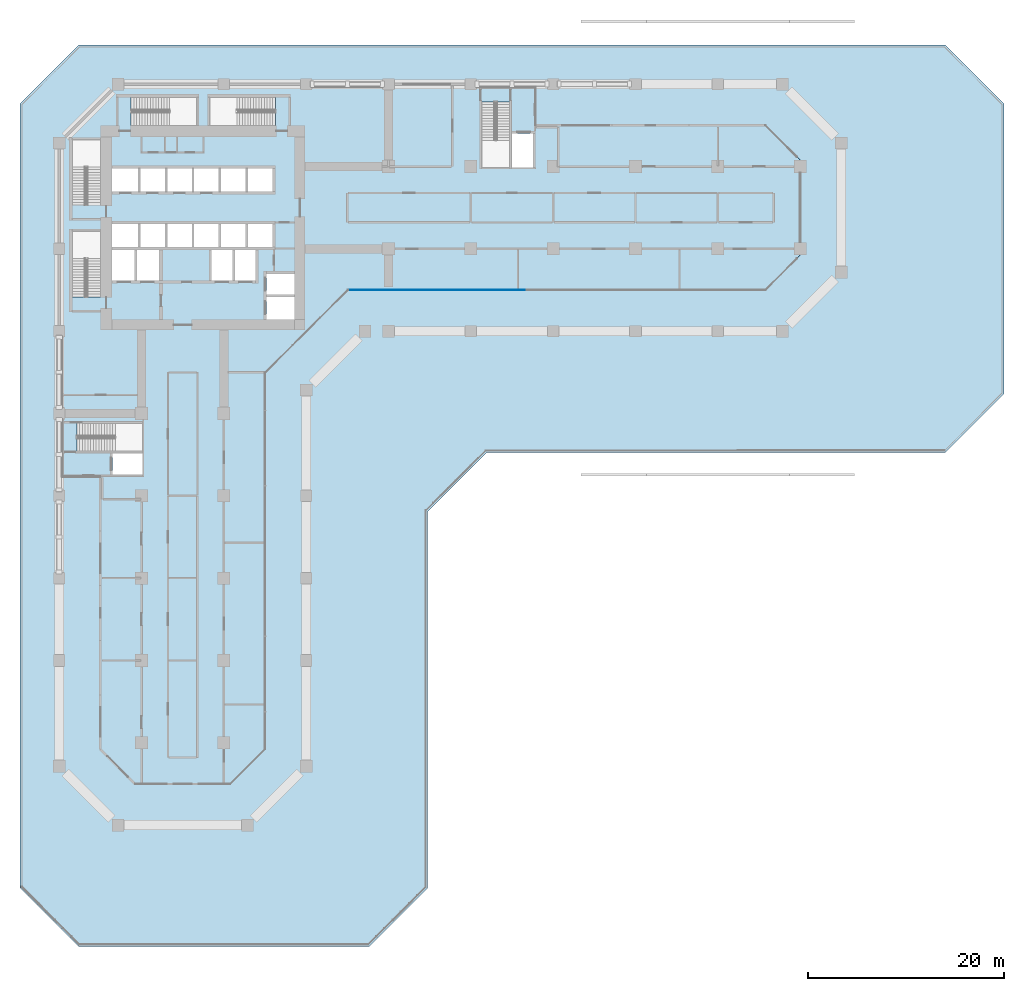
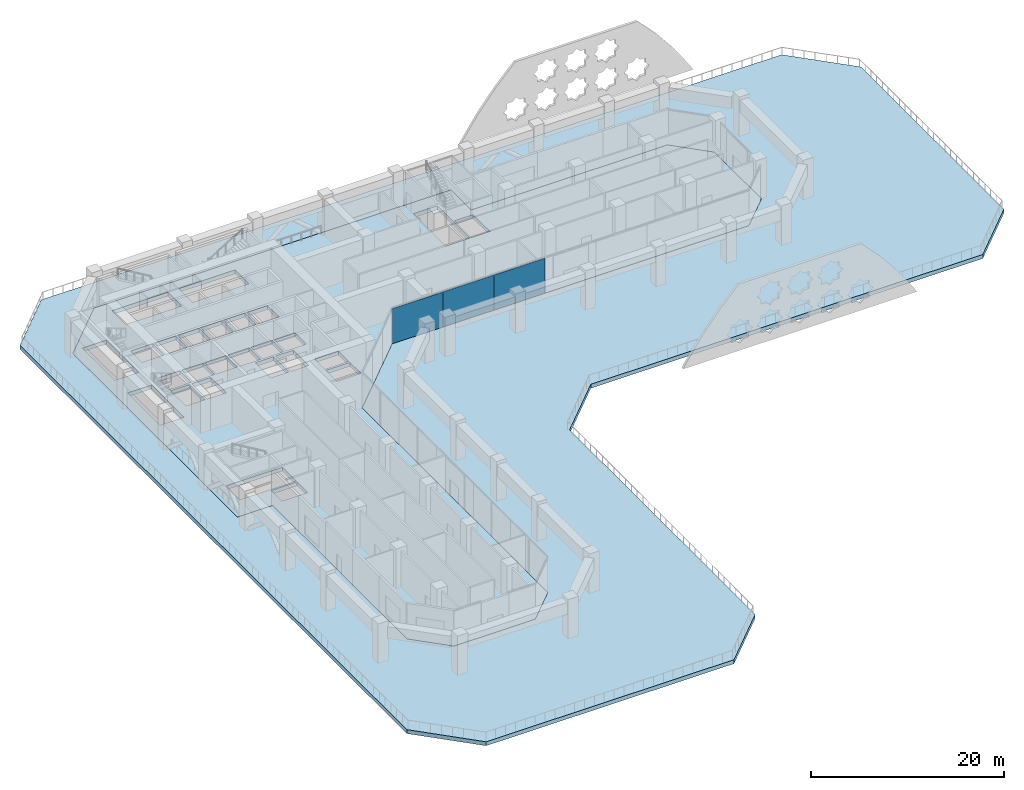
# One storey, part 4 of 19: 3 plates, 2 slabs, 1 element without a shape of its own.
"""IFC4 building model written with IfcOpenShell, lengths in metres."""

from ifc_helpers import new_model, si_unit, direction, frame, origin, origin_2d, place, context, subcontext, project, spatial, polyline, rectangle, outline, extrude, material, layer, layer_set, type_object, element, aggregate, save


model = new_model("IFC4")

# Units and contexts
model_context = context("Model", 3, precision=1e-05, world=origin(), true_north=direction((0.0, 1.0)))
body_context = subcontext(model_context, "Body", "Model", "MODEL_VIEW")
ifc_project = project(units=[si_unit("LENGTHUNIT", "METRE"), si_unit("AREAUNIT", "SQUARE_METRE"), si_unit("VOLUMEUNIT", "CUBIC_METRE"), si_unit("PLANEANGLEUNIT", "RADIAN"), si_unit("MASSUNIT", "GRAM", prefix="KILO")], contexts=[model_context])

# Site, building, storey
site_placement = place(None, origin())
site = spatial("IfcSite", under=ifc_project, at=site_placement, CompositionType="ELEMENT")
building_placement = place(site_placement, origin())
building = spatial("IfcBuilding", under=site, at=building_placement, Name="Kawkab Arch Medical Tower", CompositionType="ELEMENT")
storey_placement = place(building_placement, frame((0.0, 0.0, 34.199951171875)))
storey = spatial("IfcBuildingStorey", under=building, at=storey_placement, Name="L07", CompositionType="ELEMENT", Elevation=34.199951171875)

# Curtain wall, plates
ifc_material_1 = material(Name="Bronze anodised aluminium curtain wall frame", Category="aluminium")
ifc_layer_1 = layer(ifc_material_1, 0.159912109375)
ifc_layer_set_1 = layer_set([ifc_layer_1], Name="Bronze anodised aluminium curtain wall frame")
curtain_wall_type = type_object("IfcCurtainWallType", Name="CW4 refuge floor fire-protected glazing", PredefinedType="NOTDEFINED", material=ifc_layer_set_1)
curtain_wall_placement = place(storey_placement, origin())
curtain_wall = element("IfcCurtainWall", 1, at=curtain_wall_placement, inside=storey, type_object=curtain_wall_type, Name="CW4 Refuge floor fire-protected glazing R11", PredefinedType="NOTDEFINED")
ifc_material_2 = material(Name="Fire-resisting laminated glass", Category="glass")
ifc_layer_2 = layer(ifc_material_2, 0.0400390625)
ifc_layer_set_2 = layer_set([ifc_layer_2], Name="Fire-resisting laminated glass")
plate_type = type_object("IfcPlateType", Name="CW4 glazing unit 40", PredefinedType="CURTAIN_PANEL", material=ifc_layer_set_2)
plate_1_placement = place(storey_placement, frame((32.5029296875, -21.0, 0.0), z_axis=(0.0, 0.0, 1.0), x_axis=(1.0, 0.0, 0.0)))
plate_1 = element("IfcPlate", 2, at=plate_1_placement, type_object=plate_type, Name="CW4 glazing unit 1.1", PredefinedType="CURTAIN_PANEL", context=body_context, shape_type="SweptSolid", body=[
    extrude(rectangle(XDim=6.085693359375, YDim=0.0400390625, at=origin_2d()), origin(), (0.0, 0.0, 1.0), 4.419921875),
])
plate_2_placement = place(storey_placement, frame((38.588623046875, -21.0, 0.0), z_axis=(0.0, 0.0, 1.0), x_axis=(1.0, 0.0, 0.0)))
plate_2 = element("IfcPlate", 3, at=plate_2_placement, type_object=plate_type, Name="CW4 glazing unit 2.1", PredefinedType="CURTAIN_PANEL", context=body_context, shape_type="SweptSolid", body=[
    extrude(rectangle(XDim=6.085693359375, YDim=0.0400390625, at=origin_2d()), origin(), (0.0, 0.0, 1.0), 4.419921875),
])
plate_3_placement = place(storey_placement, frame((44.67431640625, -21.0, 0.0), z_axis=(0.0, 0.0, 1.0), x_axis=(1.0, 0.0, 0.0)))
plate_3 = element("IfcPlate", 4, at=plate_3_placement, type_object=plate_type, Name="CW4 glazing unit 3.1", PredefinedType="CURTAIN_PANEL", context=body_context, shape_type="SweptSolid", body=[
    extrude(rectangle(XDim=6.085693359375, YDim=0.0400390625, at=origin_2d()), origin(), (0.0, 0.0, 1.0), 4.419921875),
])
aggregate(curtain_wall, [plate_1, plate_2, plate_3])

# Slabs
ifc_material_3 = material(Name="Concrete C45/55", Category="concrete")
ifc_layer_3 = layer(ifc_material_3, 0.5)
ifc_layer_set_3 = layer_set([ifc_layer_3], Name="Concrete C45/55")
slab_type_1 = type_object("IfcSlabType", Name="Refuge terrace slab 500", PredefinedType="FLOOR", material=ifc_layer_set_3)
placement = place(storey_placement, frame((0.0, 0.0, -0.5)))
element("IfcSlab", 5, at=placement, inside=storey, type_object=slab_type_1, Name="Refuge terrace slab L07.1", PredefinedType="FLOOR", context=body_context, shape_type="SweptSolid", body=[
    extrude(outline(polyline([(-4.0, -81.9990234375), (-4.0, -81.9990234375), (-4.0, -2.0009765625), (-4.0, -2.0009765625), (-4.0, -2.0009765625), (-3.9990234375, -2.0), (-3.9990234375, -1.9990234375), (-3.998046875, -1.9990234375), (-3.998046875, -1.998046875), (-3.998046875, -1.998046875), (-3.9970703125, -1.9970703125), (1.9970703125, 3.9970703125), (1.998046875, 3.998046875), (1.998046875, 3.998046875), (1.9990234375, 3.998046875), (1.9990234375, 3.9990234375), (2.0, 3.9990234375), (2.0009765625, 4.0), (2.0009765625, 4.0), (2.0009765625, 4.0), (90.39892578125, 4.0), (90.39892578125, 4.0), (90.39892578125, 4.0), (90.39990234375, 3.9990234375), (90.40087890625, 3.9990234375), (90.40087890625, 3.998046875), (90.402099609375, 3.998046875), (90.402099609375, 3.998046875), (90.403076171875, 3.9970703125), (96.39697265625, -1.9970703125), (96.39794921875, -1.998046875), (96.39794921875, -1.998046875), (96.39794921875, -1.9990234375), (96.39892578125, -1.9990234375), (96.39892578125, -2.0), (96.39990234375, -2.0009765625), (96.39990234375, -2.0009765625), (96.39990234375, -2.0009765625), (96.39990234375, -31.59912109375), (96.39990234375, -31.59912109375), (96.39990234375, -31.59912109375), (96.39892578125, -31.60009765625), (96.39892578125, -31.60107421875), (96.39794921875, -31.60107421875), (96.39794921875, -31.60205078125), (96.39794921875, -31.60205078125), (96.39697265625, -31.60302734375), (90.403076171875, -37.596923828125), (90.402099609375, -37.597900390625), (90.402099609375, -37.597900390625), (90.40087890625, -37.597900390625), (90.40087890625, -37.59912109375), (90.39990234375, -37.59912109375), (90.39892578125, -37.60009765625), (90.39892578125, -37.60009765625), (90.39892578125, -37.60009765625), (43.60009765625, -37.60009765625), (37.60009765625, -43.60009765625), (37.60009765625, -81.9990234375), (37.60009765625, -81.9990234375), (37.60009765625, -81.9990234375), (37.59912109375, -82.0), (37.59912109375, -82.0009765625), (37.597900390625, -82.0009765625), (37.597900390625, -82.001953125), (37.597900390625, -82.001953125), (37.596923828125, -82.0029296875), (31.60302734375, -87.9970703125), (31.60205078125, -87.998046875), (31.60205078125, -87.998046875), (31.60107421875, -87.998046875), (31.60107421875, -87.9990234375), (31.60009765625, -87.9990234375), (31.59912109375, -88.0), (31.59912109375, -88.0), (31.59912109375, -88.0), (2.0009765625, -88.0), (2.0009765625, -88.0), (2.0009765625, -88.0), (2.0, -87.9990234375), (1.9990234375, -87.9990234375), (1.9990234375, -87.998046875), (1.998046875, -87.998046875), (1.998046875, -87.998046875), (1.9970703125, -87.9970703125), (-3.9970703125, -82.0029296875), (-3.998046875, -82.001953125), (-3.998046875, -82.001953125), (-3.998046875, -82.0009765625), (-3.9990234375, -82.0009765625), (-3.9990234375, -82.0), (-4.0, -81.9990234375), (-4.0, -81.9990234375)]), holes=[polyline([(4.199951171875, -40.050048828125), (4.199951171875, -40.050048828125), (4.199951171875, -67.860107421875), (7.739990234375, -71.39990234375), (7.740966796875, -71.40087890625), (17.458984375, -71.40087890625), (17.4599609375, -71.39990234375), (21.0, -67.860107421875), (21.0, -29.4599609375), (21.0, -29.4599609375), (21.0, -29.4599609375), (29.4599609375, -21.0), (29.4599609375, -21.0), (29.4599609375, -21.0), (72.06005859375, -21.0), (75.60009765625, -17.4599609375), (75.60009765625, -7.739990234375), (72.06005859375, -4.199951171875), (48.60107421875, -4.199951171875), (48.60107421875, -4.199951171875), (48.60107421875, -4.199951171875), (48.60107421875, 0.0009765625), (6.0009765625, 0.0009765625), (6.0, 0.0), (0.0, -6.0), (-0.0009765625, -6.0009765625), (-0.0009765625, -40.050048828125), (4.199951171875, -40.050048828125), (4.199951171875, -40.050048828125)])]), origin(), (0.0, 0.0, 1.0), 0.5),
])
ifc_material_4 = material(Name="Concrete C45/55", Category="concrete")
ifc_layer_4 = layer(ifc_material_4, 0.5)
ifc_layer_set_4 = layer_set([ifc_layer_4], Name="Concrete C45/55")
slab_type_2 = type_object("IfcSlabType", Name="Transfer plate 500 C45/55", PredefinedType="FLOOR", material=ifc_layer_set_4)
element("IfcSlab", 6, at=placement, inside=storey, type_object=slab_type_2, Name="Floor slab L07", PredefinedType="FLOOR", context=body_context, shape_type="SweptSolid", body=[
    extrude(outline(polyline([(48.60107421875, 0.0), (48.60107421875, -0.300048828125), (48.60107421875, -4.199951171875), (72.06005859375, -4.199951171875), (75.60009765625, -7.739990234375), (75.60009765625, -17.4599609375), (72.06005859375, -21.0), (29.4599609375, -21.0), (21.0, -29.4599609375), (21.0, -67.860107421875), (17.4599609375, -71.39990234375), (17.4599609375, -71.40087890625), (7.739990234375, -71.40087890625), (7.739990234375, -71.39990234375), (4.199951171875, -67.860107421875), (4.199951171875, -40.050048828125), (0.300048828125, -40.050048828125), (0.0, -40.050048828125), (0.0, -6.0), (6.0, 0.0), (48.60107421875, 0.0)]), holes=[polyline([(5.425048828125, -37.64990234375), (5.425048828125, -39.85009765625), (8.5, -39.85009765625), (8.5, -37.64990234375), (5.425048828125, -37.64990234375)]), polyline([(1.800048828125, -37.449951171875), (8.5, -37.449951171875), (8.5, -34.60009765625), (1.800048828125, -34.60009765625), (1.800048828125, -37.449951171875)]), polyline([(5.39990234375, -16.89990234375), (5.39990234375, -20.050048828125), (7.675048828125, -20.050048828125), (7.675048828125, -16.89990234375), (5.39990234375, -16.89990234375)]), polyline([(10.199951171875, -16.89990234375), (7.925048828125, -16.89990234375), (7.925048828125, -20.050048828125), (10.199951171875, -20.050048828125), (10.199951171875, -16.89990234375)]), polyline([(4.199951171875, -21.699951171875), (4.199951171875, -15.0), (1.35009765625, -15.0), (1.35009765625, -21.699951171875), (4.199951171875, -21.699951171875)]), polyline([(5.39990234375, -14.25), (5.39990234375, -16.60009765625), (8.050048828125, -16.60009765625), (8.050048828125, -14.25), (5.39990234375, -14.25)]), polyline([(10.800048828125, -16.60009765625), (10.800048828125, -14.25), (8.25, -14.25), (8.25, -16.60009765625), (10.800048828125, -16.60009765625)]), polyline([(13.52490234375, -14.25), (11.0, -14.25), (11.0, -16.60009765625), (13.52490234375, -16.60009765625), (13.52490234375, -14.25)]), polyline([(5.39990234375, -8.60009765625), (5.39990234375, -10.949951171875), (8.050048828125, -10.949951171875), (8.050048828125, -8.60009765625), (5.39990234375, -8.60009765625)]), polyline([(10.800048828125, -10.949951171875), (10.800048828125, -8.60009765625), (8.25, -8.60009765625), (8.25, -10.949951171875), (10.800048828125, -10.949951171875)]), polyline([(11.0, -8.60009765625), (11.0, -10.949951171875), (13.550048828125, -10.949951171875), (13.550048828125, -8.60009765625), (11.0, -8.60009765625)]), polyline([(4.199951171875, -12.35009765625), (4.199951171875, -5.64990234375), (1.35009765625, -5.64990234375), (1.35009765625, -12.35009765625), (4.199951171875, -12.35009765625)]), polyline([(7.35009765625, -4.199951171875), (14.050048828125, -4.199951171875), (14.050048828125, -1.35009765625), (7.35009765625, -1.35009765625), (7.35009765625, -4.199951171875)]), polyline([(24.0, -21.72509765625), (21.14990234375, -21.72509765625), (21.14990234375, -24.0), (24.0, -24.0), (24.0, -21.72509765625)]), polyline([(24.0, -21.47509765625), (24.0, -19.35009765625), (21.14990234375, -19.35009765625), (21.14990234375, -21.47509765625), (24.0, -21.47509765625)]), polyline([(17.675048828125, -16.89990234375), (15.52490234375, -16.89990234375), (15.52490234375, -20.050048828125), (17.675048828125, -20.050048828125), (17.675048828125, -16.89990234375)]), polyline([(17.925048828125, -16.89990234375), (17.925048828125, -20.050048828125), (20.050048828125, -20.050048828125), (20.050048828125, -16.89990234375), (17.925048828125, -16.89990234375)]), polyline([(16.27490234375, -16.60009765625), (16.27490234375, -14.25), (13.77490234375, -14.25), (13.77490234375, -16.60009765625), (16.27490234375, -16.60009765625)]), polyline([(19.02490234375, -16.60009765625), (19.02490234375, -14.25), (16.52490234375, -14.25), (16.52490234375, -16.60009765625), (19.02490234375, -16.60009765625)]), polyline([(19.27490234375, -14.25), (19.27490234375, -16.60009765625), (21.75, -16.60009765625), (21.75, -14.25), (19.27490234375, -14.25)]), polyline([(16.300048828125, -8.60009765625), (13.75, -8.60009765625), (13.75, -10.949951171875), (16.300048828125, -10.949951171875), (16.300048828125, -8.60009765625)]), polyline([(19.050048828125, -8.60009765625), (16.5, -8.60009765625), (16.5, -10.949951171875), (19.050048828125, -10.949951171875), (19.050048828125, -8.60009765625)]), polyline([(19.25, -8.60009765625), (19.25, -10.949951171875), (21.75, -10.949951171875), (21.75, -8.60009765625), (19.25, -8.60009765625)]), polyline([(46.14990234375, -5.02490234375), (46.14990234375, -8.5), (48.35009765625, -8.5), (48.35009765625, -5.02490234375), (46.14990234375, -5.02490234375)]), polyline([(43.10009765625, -1.800048828125), (43.10009765625, -8.5), (45.949951171875, -8.5), (45.949951171875, -1.800048828125), (43.10009765625, -1.800048828125)]), polyline([(22.050048828125, -1.35009765625), (15.35009765625, -1.35009765625), (15.35009765625, -4.199951171875), (22.050048828125, -4.199951171875), (22.050048828125, -1.35009765625)])]), origin(), (0.0, 0.0, 1.0), 0.5),
])

save(model, "model.ifc")
